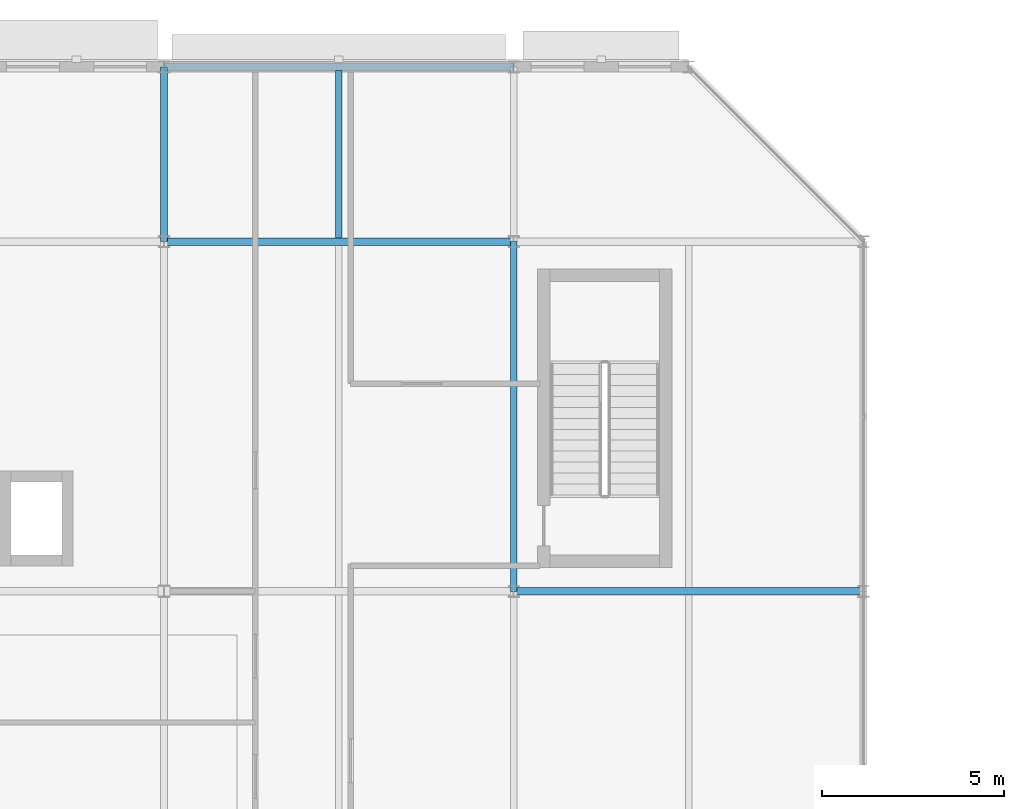
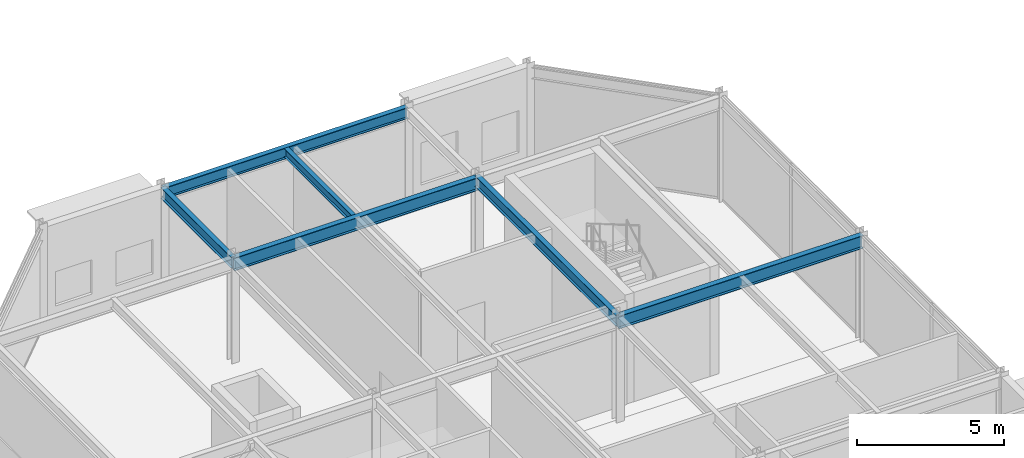
# One storey, part 35 of 89: 6 beams.
"""IFC4 building model written with IfcOpenShell, lengths in metres."""

from ifc_helpers import new_model, si_unit, direction, frame, origin, origin_2d, place, context, subcontext, project, spatial, i_section, extrude, material, material_profile, profile_set, type_object, element, save


model = new_model("IFC4")

# Units and contexts
model_context = context("Model", 3, precision=1e-05, world=origin(), true_north=direction((0.0, 1.0)))
body_context = subcontext(model_context, "Body", "Model", "MODEL_VIEW")
ifc_project = project(units=[si_unit("LENGTHUNIT", "METRE"), si_unit("AREAUNIT", "SQUARE_METRE"), si_unit("VOLUMEUNIT", "CUBIC_METRE"), si_unit("PLANEANGLEUNIT", "RADIAN"), si_unit("MASSUNIT", "GRAM", prefix="KILO")], contexts=[model_context])

# Site, building, storey
site_placement = place(None, origin())
site = spatial("IfcSite", under=ifc_project, at=site_placement, CompositionType="ELEMENT")
building_placement = place(site_placement, origin())
building = spatial("IfcBuilding", under=site, at=building_placement, Name="Almandine Court Research Institute", CompositionType="ELEMENT")
storey_placement = place(building_placement, frame((0.0, 0.0, 18.89990234375)))
storey = spatial("IfcBuildingStorey", under=building, at=storey_placement, Name="L04", CompositionType="ELEMENT", Elevation=18.89990234375)

# Beams
ifc_material = material(Name="Steel ASTM A992 Grade 50", Category="steel")
ifc_material_profile_1 = material_profile(ifc_material, i_section(OverallWidth=0.18994140625, OverallDepth=0.45703125, WebThickness=0.009033203125, FlangeThickness=0.014892578125, at=origin_2d()), Name="W460x74")
ifc_profile_set_1 = profile_set([ifc_material_profile_1], Name="Steel ASTM A992 Grade 50")
beam_type_1 = type_object("IfcBeamType", Name="Beam-B-01", PredefinedType="BEAM", material=ifc_profile_set_1)
beam_1_placement = place(storey_placement, frame((25.199951171875, 103.199951171875, 4.14111328125), z_axis=(0.0, 1.0, 0.0), x_axis=(-1.0, 0.0, 0.0)))
element("IfcBeam", 1, at=beam_1_placement, inside=storey, type_object=beam_type_1, Name="L04 V3 Primary Y Girder", PredefinedType="BEAM", context=body_context, shape_type="SweptSolid", body=[
    extrude(i_section(OverallWidth=0.18994140625, OverallDepth=0.45703125, WebThickness=0.009033203125, FlangeThickness=0.014892578125, at=origin_2d()), origin(), (0.0, 0.0, 1.0), 9.60009765625),
])
beam_2_placement = place(storey_placement, frame((15.60009765625, 112.800048828125, 4.09521484375), z_axis=(0.0, 1.0, 0.0), x_axis=(-1.0, 0.0, 0.0)))
element("IfcBeam", 2, at=beam_2_placement, inside=storey, type_object=beam_type_1, Name="L04 V3 Primary Y Girder", PredefinedType="BEAM", context=body_context, shape_type="SweptSolid", body=[
    extrude(i_section(OverallWidth=0.18994140625, OverallDepth=0.45703125, WebThickness=0.009033203125, FlangeThickness=0.014892578125, at=origin_2d()), origin(), (0.0, 0.0, 1.0), 4.800048828125),
])
ifc_material_profile_2 = material_profile(ifc_material, i_section(OverallWidth=0.172119140625, OverallDepth=0.35791015625, WebThickness=0.008056640625, FlangeThickness=0.012939453125, at=origin_2d()), Name="W360x57")
ifc_profile_set_2 = profile_set([ifc_material_profile_2], Name="Steel ASTM A992 Grade 50")
beam_type_2 = type_object("IfcBeamType", Name="Beam-B-03", PredefinedType="JOIST", material=ifc_profile_set_2)
beam_3_placement = place(storey_placement, frame((20.39990234375, 112.903076171875, 4.14404296875), z_axis=(0.0, 1.0, 0.0), x_axis=(-1.0, 0.0, 0.0)))
element("IfcBeam", 3, at=beam_3_placement, inside=storey, type_object=beam_type_2, Name="L04 V3 Composite Secondary Beam", PredefinedType="JOIST", context=body_context, shape_type="SweptSolid", body=[
    extrude(i_section(OverallWidth=0.172119140625, OverallDepth=0.35791015625, WebThickness=0.008056640625, FlangeThickness=0.012939453125, at=origin_2d()), origin(), (0.0, 0.0, 1.0), 4.601806640625),
])
ifc_material_profile_3 = material_profile(ifc_material, i_section(OverallWidth=0.2109375, OverallDepth=0.5390625, WebThickness=0.011962890625, FlangeThickness=0.01904296875, at=origin_2d()), Name="W530x109")
ifc_profile_set_3 = profile_set([ifc_material_profile_3], Name="Steel ASTM A992 Grade 50")
beam_type_3 = type_object("IfcBeamType", Name="Beam-G-04", PredefinedType="BEAM", material=ifc_profile_set_3)
beam_4_placement = place(storey_placement, frame((25.199951171875, 103.199951171875, 4.10009765625), z_axis=(1.0, 0.0, 0.0), x_axis=(0.0, 1.0, 0.0)))
element("IfcBeam", 4, at=beam_4_placement, inside=storey, type_object=beam_type_3, Name="L04 V3 Primary X Girder", PredefinedType="BEAM", context=body_context, shape_type="SweptSolid", body=[
    extrude(i_section(OverallWidth=0.2109375, OverallDepth=0.5390625, WebThickness=0.011962890625, FlangeThickness=0.01904296875, at=origin_2d()), origin(), (0.0, 0.0, 1.0), 9.60009765625),
])
beam_5_placement = place(storey_placement, frame((15.60009765625, 112.800048828125, 4.05419921875), z_axis=(1.0, 0.0, 0.0), x_axis=(0.0, 1.0, 0.0)))
element("IfcBeam", 5, at=beam_5_placement, inside=storey, type_object=beam_type_3, Name="L04 V3 Primary X Girder", PredefinedType="BEAM", context=body_context, shape_type="SweptSolid", body=[
    extrude(i_section(OverallWidth=0.2109375, OverallDepth=0.5390625, WebThickness=0.011962890625, FlangeThickness=0.01904296875, at=origin_2d()), origin(), (0.0, 0.0, 1.0), 9.599853515625),
])
ifc_material_profile_4 = material_profile(ifc_material, i_section(OverallWidth=0.193115234375, OverallDepth=0.466064453125, WebThickness=0.010986328125, FlangeThickness=0.01904296875, at=origin_2d()), Name="W460x97")
ifc_profile_set_4 = profile_set([ifc_material_profile_4], Name="Steel ASTM A992 Grade 50")
beam_type_4 = type_object("IfcBeamType", Name="Beam-G-06-E", PredefinedType="SPANDREL", material=ifc_profile_set_4)
beam_6_placement = place(storey_placement, frame((15.60009765625, 117.60009765625, 4.090087890625), z_axis=(1.0, 0.0, 0.0), x_axis=(0.0, 1.0, 0.0)))
element("IfcBeam", 6, at=beam_6_placement, inside=storey, type_object=beam_type_4, Name="L04 V3 Primary X Girder", PredefinedType="SPANDREL", context=body_context, shape_type="SweptSolid", body=[
    extrude(i_section(OverallWidth=0.193115234375, OverallDepth=0.466064453125, WebThickness=0.010986328125, FlangeThickness=0.01904296875, at=origin_2d()), origin(), (0.0, 0.0, 1.0), 9.599853515625),
])

save(model, "model.ifc")
